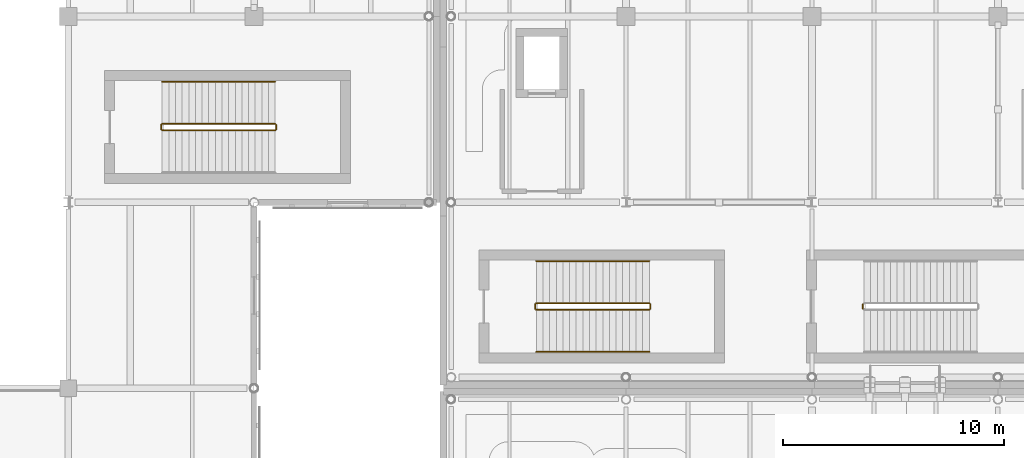
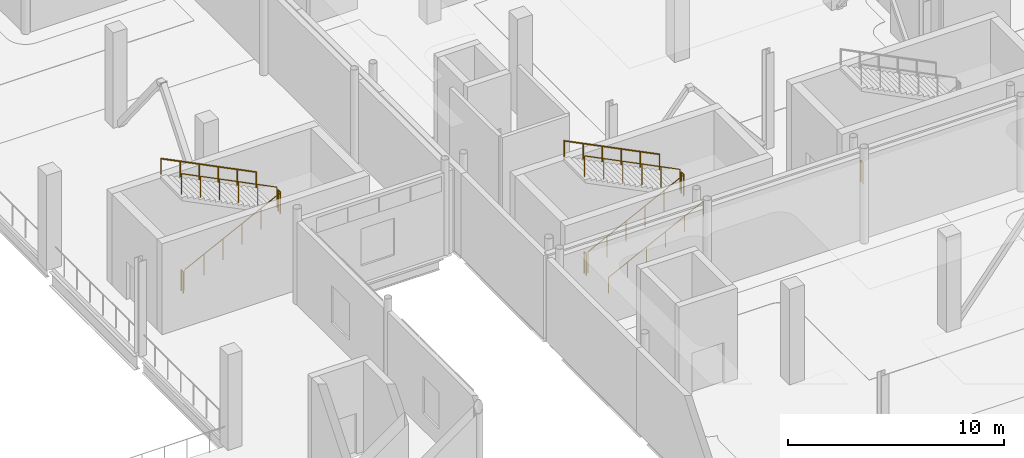
# One storey, part 94 of 110: 12 railings.
"""IFC4 building model written with IfcOpenShell, lengths in metres."""

from ifc_helpers import new_model, si_unit, direction, frame, origin, origin_2d, place, context, subcontext, project, spatial, circle, extrude, material, type_object, element, save


model = new_model("IFC4")

# Units and contexts
model_context = context("Model", 3, precision=1e-05, world=origin(), true_north=direction((0.0, 1.0)))
body_context = subcontext(model_context, "Body", "Model", "MODEL_VIEW")
ifc_project = project(units=[si_unit("LENGTHUNIT", "METRE"), si_unit("AREAUNIT", "SQUARE_METRE"), si_unit("VOLUMEUNIT", "CUBIC_METRE"), si_unit("PLANEANGLEUNIT", "RADIAN"), si_unit("MASSUNIT", "GRAM", prefix="KILO"), si_unit("THERMODYNAMICTEMPERATUREUNIT", "KELVIN")], contexts=[model_context])

# Site, building, storey
site_placement = place(None, origin())
site = spatial("IfcSite", under=ifc_project, at=site_placement, CompositionType="ELEMENT")
building_placement = place(site_placement, origin())
building = spatial("IfcBuilding", under=site, at=building_placement, Name="Lustrewick Department Store", CompositionType="ELEMENT")
storey_placement = place(building_placement, frame((0.0, 0.0, 6.0)))
storey = spatial("IfcBuildingStorey", under=building, at=storey_placement, Name="L02", CompositionType="ELEMENT", Elevation=6.0)

# Railings
ifc_material_1 = material(Name="Painted tubular steel stairwell guardrail", Category="steel")
railing_type_1 = type_object("IfcRailingType", Name="RL-STG", PredefinedType="GUARDRAIL", material=ifc_material_1)
railing_1_placement = place(storey_placement, frame((96.64990234375, 62.050048828125, 0.14990234375)))
element("IfcRailing", 1, at=railing_1_placement, inside=storey, type_object=railing_type_1, Name="L02 ST05 Stair Guard 1", PredefinedType="GUARDRAIL", context=body_context, shape_type="SweptSolid", body=[
    extrude(circle(Radius=0.02392578125, at=origin_2d()), frame((0.0, 0.0, 1.17578125), z_axis=(0.894427191, 0.0, 0.4472135955), x_axis=(0.0, 1.0, 0.0)), (0.0, 0.0, 1.0), 5.7021484375),
    extrude(circle(Radius=0.02099609375, at=origin_2d()), origin(), (0.0, 0.0, 1.0), 1.15185546875),
    extrude(circle(Radius=0.02099609375, at=origin_2d()), frame((1.02001953125, 0.0, 0.510009765625)), (0.0, 0.0, 1.0), 1.15185546875),
    extrude(circle(Radius=0.02099609375, at=origin_2d()), frame((2.0400390625, 0.0, 1.02001953125)), (0.0, 0.0, 1.0), 1.15185546875),
    extrude(circle(Radius=0.02099609375, at=origin_2d()), frame((3.06005859375, 0.0, 1.530029296875)), (0.0, 0.0, 1.0), 1.15185546875),
    extrude(circle(Radius=0.02099609375, at=origin_2d()), frame((4.080078125, 0.0, 2.0400390625)), (0.0, 0.0, 1.0), 1.15185546875),
    extrude(circle(Radius=0.02099609375, at=origin_2d()), frame((5.10009765625, 0.0, 2.550048828125)), (0.0, 0.0, 1.0), 1.15185546875),
])
railing_2_placement = place(storey_placement, frame((101.800048828125, 62.10009765625, 2.699951171875)))
element("IfcRailing", 2, at=railing_2_placement, inside=storey, type_object=railing_type_1, Name="L02 ST05 Stair Guard 2", PredefinedType="GUARDRAIL", context=body_context, shape_type="SweptSolid", body=[
    extrude(circle(Radius=0.02392578125, at=origin_2d()), frame((0.0, 0.0, 1.17578125), z_axis=(0.0, 1.0, 0.0), x_axis=(-1.0, 0.0, 0.0)), (0.0, 0.0, 1.0), 0.199951171875),
    extrude(circle(Radius=0.02099609375, at=origin_2d()), origin(), (0.0, 0.0, 1.0), 1.15185546875),
    extrude(circle(Radius=0.02099609375, at=origin_2d()), frame((0.0, 0.199951171875, 0.0)), (0.0, 0.0, 1.0), 1.15185546875),
])
railing_3_placement = place(storey_placement, frame((101.75, 62.35009765625, 2.85009765625)))
element("IfcRailing", 3, at=railing_3_placement, inside=storey, type_object=railing_type_1, Name="L02 ST05 Stair Guard 3", PredefinedType="GUARDRAIL", context=body_context, shape_type="SweptSolid", body=[
    extrude(circle(Radius=0.02392578125, at=origin_2d()), frame((0.0, 0.0, 1.17578125), z_axis=(-0.89444431709, 0.0, 0.44717934168), x_axis=(0.0, -1.0, 0.0)), (0.0, 0.0, 1.0), 5.701904296875),
    extrude(circle(Radius=0.02099609375, at=origin_2d()), origin(), (0.0, 0.0, 1.0), 1.15185546875),
    extrude(circle(Radius=0.02099609375, at=origin_2d()), frame((-1.02001953125, 0.0, 0.510009765625)), (0.0, 0.0, 1.0), 1.15185546875),
    extrude(circle(Radius=0.02099609375, at=origin_2d()), frame((-2.0400390625, 0.0, 1.02001953125)), (0.0, 0.0, 1.0), 1.15185546875),
    extrude(circle(Radius=0.02099609375, at=origin_2d()), frame((-3.06005859375, 0.0, 1.52978515625)), (0.0, 0.0, 1.0), 1.15185546875),
    extrude(circle(Radius=0.02099609375, at=origin_2d()), frame((-4.080078125, 0.0, 2.039794921875)), (0.0, 0.0, 1.0), 1.15185546875),
    extrude(circle(Radius=0.02099609375, at=origin_2d()), frame((-5.10009765625, 0.0, 2.5498046875)), (0.0, 0.0, 1.0), 1.15185546875),
])
railing_4_placement = place(storey_placement, frame((96.60009765625, 62.10009765625, 0.0)))
element("IfcRailing", 4, at=railing_4_placement, inside=storey, type_object=railing_type_1, Name="L02 ST05 Stair Guard 4", PredefinedType="GUARDRAIL", context=body_context, shape_type="SweptSolid", body=[
    extrude(circle(Radius=0.02392578125, at=origin_2d()), frame((0.0, 0.0, 1.17578125), z_axis=(0.0, 1.0, 0.0), x_axis=(-1.0, 0.0, 0.0)), (0.0, 0.0, 1.0), 0.199951171875),
    extrude(circle(Radius=0.02099609375, at=origin_2d()), origin(), (0.0, 0.0, 1.0), 1.15185546875),
    extrude(circle(Radius=0.02099609375, at=origin_2d()), frame((0.0, 0.199951171875, 0.0)), (0.0, 0.0, 1.0), 1.15185546875),
])
railing_5_placement = place(storey_placement, frame((113.550048828125, 53.949951171875, 0.14990234375)))
element("IfcRailing", 5, at=railing_5_placement, inside=storey, type_object=railing_type_1, Name="L02 ST09 Stair Guard 1", PredefinedType="GUARDRAIL", context=body_context, shape_type="SweptSolid", body=[
    extrude(circle(Radius=0.02392578125, at=origin_2d()), frame((0.0, 0.0, 1.17578125), z_axis=(0.894418627299, 0.0, 0.447230722492), x_axis=(0.0, 1.0, 0.0)), (0.0, 0.0, 1.0), 5.701904296875),
    extrude(circle(Radius=0.02099609375, at=origin_2d()), origin(), (0.0, 0.0, 1.0), 1.15185546875),
    extrude(circle(Radius=0.02099609375, at=origin_2d()), frame((1.02001953125, 0.0, 0.510009765625)), (0.0, 0.0, 1.0), 1.15185546875),
    extrude(circle(Radius=0.02099609375, at=origin_2d()), frame((2.0400390625, 0.0, 1.02001953125)), (0.0, 0.0, 1.0), 1.15185546875),
    extrude(circle(Radius=0.02099609375, at=origin_2d()), frame((3.059814453125, 0.0, 1.530029296875)), (0.0, 0.0, 1.0), 1.15185546875),
    extrude(circle(Radius=0.02099609375, at=origin_2d()), frame((4.079833984375, 0.0, 2.0400390625)), (0.0, 0.0, 1.0), 1.15185546875),
    extrude(circle(Radius=0.02099609375, at=origin_2d()), frame((5.099853515625, 0.0, 2.550048828125)), (0.0, 0.0, 1.0), 1.15185546875),
])
railing_6_placement = place(storey_placement, frame((118.699951171875, 54.0, 2.699951171875)))
element("IfcRailing", 6, at=railing_6_placement, inside=storey, type_object=railing_type_1, Name="L02 ST09 Stair Guard 2", PredefinedType="GUARDRAIL", context=body_context, shape_type="SweptSolid", body=[
    extrude(circle(Radius=0.02392578125, at=origin_2d()), frame((0.0, 0.0, 1.17578125), z_axis=(0.0, 1.0, 0.0), x_axis=(-1.0, 0.0, 0.0)), (0.0, 0.0, 1.0), 0.199951171875),
    extrude(circle(Radius=0.02099609375, at=origin_2d()), origin(), (0.0, 0.0, 1.0), 1.15185546875),
    extrude(circle(Radius=0.02099609375, at=origin_2d()), frame((0.0, 0.199951171875, 0.0)), (0.0, 0.0, 1.0), 1.15185546875),
])
railing_7_placement = place(storey_placement, frame((118.64990234375, 54.25, 2.85009765625)))
element("IfcRailing", 7, at=railing_7_placement, inside=storey, type_object=railing_type_1, Name="L02 ST09 Stair Guard 3", PredefinedType="GUARDRAIL", context=body_context, shape_type="SweptSolid", body=[
    extrude(circle(Radius=0.02392578125, at=origin_2d()), frame((0.0, 0.0, 1.17578125), z_axis=(-0.894435754537, 0.0, 0.447196468016), x_axis=(0.0, -1.0, 0.0)), (0.0, 0.0, 1.0), 5.70166015625),
    extrude(circle(Radius=0.02099609375, at=origin_2d()), origin(), (0.0, 0.0, 1.0), 1.15185546875),
    extrude(circle(Radius=0.02099609375, at=origin_2d()), frame((-1.02001953125, 0.0, 0.510009765625)), (0.0, 0.0, 1.0), 1.15185546875),
    extrude(circle(Radius=0.02099609375, at=origin_2d()), frame((-2.0400390625, 0.0, 1.02001953125)), (0.0, 0.0, 1.0), 1.15185546875),
    extrude(circle(Radius=0.02099609375, at=origin_2d()), frame((-3.059814453125, 0.0, 1.52978515625)), (0.0, 0.0, 1.0), 1.15185546875),
    extrude(circle(Radius=0.02099609375, at=origin_2d()), frame((-4.079833984375, 0.0, 2.039794921875)), (0.0, 0.0, 1.0), 1.15185546875),
    extrude(circle(Radius=0.02099609375, at=origin_2d()), frame((-5.099853515625, 0.0, 2.5498046875)), (0.0, 0.0, 1.0), 1.15185546875),
])
for number, where, name in (
    (8, (113.5, 54.0, 0.0), "L02 ST09 Stair Guard 4"),
    (9, (128.300048828125, 54.0, 0.0), "L02 ST11 Stair Guard 4"),
):
    element("IfcRailing", number, at=place(storey_placement, frame(where)), inside=storey, type_object=railing_type_1, Name=name, PredefinedType="GUARDRAIL", context=body_context, shape_type="SweptSolid", body=[
        extrude(circle(Radius=0.02392578125, at=origin_2d()), frame((0.0, 0.0, 1.17578125), z_axis=(0.0, 1.0, 0.0), x_axis=(-1.0, 0.0, 0.0)), (0.0, 0.0, 1.0), 0.199951171875),
        extrude(circle(Radius=0.02099609375, at=origin_2d()), origin(), (0.0, 0.0, 1.0), 1.15185546875),
        extrude(circle(Radius=0.02099609375, at=origin_2d()), frame((0.0, 0.199951171875, 0.0)), (0.0, 0.0, 1.0), 1.15185546875),
    ])
ifc_material_2 = material(Name="Brushed stainless steel wall handrail", Category="steel")
railing_type_2 = type_object("IfcRailingType", Name="RL-STH", PredefinedType="HANDRAIL", material=ifc_material_2)
railing_8_placement = place(storey_placement, frame((101.75, 64.25, 2.85009765625)))
element("IfcRailing", 10, at=railing_8_placement, inside=storey, type_object=railing_type_2, Name="L02 ST05 Stair Handrail 2", PredefinedType="HANDRAIL", context=body_context, shape_type="SweptSolid", body=[
    extrude(circle(Radius=0.02392578125, at=origin_2d()), frame((0.0, 0.0, 0.8759765625), z_axis=(-0.89444431709, 0.0, 0.44717934168), x_axis=(0.0, -1.0, 0.0)), (0.0, 0.0, 1.0), 5.701904296875),
    extrude(circle(Radius=0.02099609375, at=origin_2d()), origin(), (0.0, 0.0, 1.0), 0.851806640625),
    extrude(circle(Radius=0.02099609375, at=origin_2d()), frame((-1.02001953125, 0.0, 0.510009765625)), (0.0, 0.0, 1.0), 0.851806640625),
    extrude(circle(Radius=0.02099609375, at=origin_2d()), frame((-2.0400390625, 0.0, 1.02001953125)), (0.0, 0.0, 1.0), 0.851806640625),
    extrude(circle(Radius=0.02099609375, at=origin_2d()), frame((-3.06005859375, 0.0, 1.52978515625)), (0.0, 0.0, 1.0), 0.851806640625),
    extrude(circle(Radius=0.02099609375, at=origin_2d()), frame((-4.080078125, 0.0, 2.039794921875)), (0.0, 0.0, 1.0), 0.851806640625),
    extrude(circle(Radius=0.02099609375, at=origin_2d()), frame((-5.10009765625, 0.0, 2.5498046875)), (0.0, 0.0, 1.0), 0.851806640625),
])
railing_9_placement = place(storey_placement, frame((113.550048828125, 52.050048828125, 0.14990234375)))
element("IfcRailing", 11, at=railing_9_placement, inside=storey, type_object=railing_type_2, Name="L02 ST09 Stair Handrail 1", PredefinedType="HANDRAIL", context=body_context, shape_type="SweptSolid", body=[
    extrude(circle(Radius=0.02392578125, at=origin_2d()), frame((0.0, 0.0, 0.8759765625), z_axis=(0.894418627299, 0.0, 0.447230722492), x_axis=(0.0, 1.0, 0.0)), (0.0, 0.0, 1.0), 5.701904296875),
    extrude(circle(Radius=0.02099609375, at=origin_2d()), origin(), (0.0, 0.0, 1.0), 0.851806640625),
    extrude(circle(Radius=0.02099609375, at=origin_2d()), frame((1.02001953125, 0.0, 0.510009765625)), (0.0, 0.0, 1.0), 0.851806640625),
    extrude(circle(Radius=0.02099609375, at=origin_2d()), frame((2.0400390625, 0.0, 1.02001953125)), (0.0, 0.0, 1.0), 0.851806640625),
    extrude(circle(Radius=0.02099609375, at=origin_2d()), frame((3.059814453125, 0.0, 1.530029296875)), (0.0, 0.0, 1.0), 0.851806640625),
    extrude(circle(Radius=0.02099609375, at=origin_2d()), frame((4.079833984375, 0.0, 2.0400390625)), (0.0, 0.0, 1.0), 0.851806640625),
    extrude(circle(Radius=0.02099609375, at=origin_2d()), frame((5.099853515625, 0.0, 2.550048828125)), (0.0, 0.0, 1.0), 0.851806640625),
])
railing_10_placement = place(storey_placement, frame((118.64990234375, 56.14990234375, 2.85009765625)))
element("IfcRailing", 12, at=railing_10_placement, inside=storey, type_object=railing_type_2, Name="L02 ST09 Stair Handrail 2", PredefinedType="HANDRAIL", context=body_context, shape_type="SweptSolid", body=[
    extrude(circle(Radius=0.02392578125, at=origin_2d()), frame((0.0, 0.0, 0.8759765625), z_axis=(-0.894435754537, 0.0, 0.447196468016), x_axis=(0.0, -1.0, 0.0)), (0.0, 0.0, 1.0), 5.70166015625),
    extrude(circle(Radius=0.02099609375, at=origin_2d()), origin(), (0.0, 0.0, 1.0), 0.851806640625),
    extrude(circle(Radius=0.02099609375, at=origin_2d()), frame((-1.02001953125, 0.0, 0.510009765625)), (0.0, 0.0, 1.0), 0.851806640625),
    extrude(circle(Radius=0.02099609375, at=origin_2d()), frame((-2.0400390625, 0.0, 1.02001953125)), (0.0, 0.0, 1.0), 0.851806640625),
    extrude(circle(Radius=0.02099609375, at=origin_2d()), frame((-3.059814453125, 0.0, 1.52978515625)), (0.0, 0.0, 1.0), 0.851806640625),
    extrude(circle(Radius=0.02099609375, at=origin_2d()), frame((-4.079833984375, 0.0, 2.039794921875)), (0.0, 0.0, 1.0), 0.851806640625),
    extrude(circle(Radius=0.02099609375, at=origin_2d()), frame((-5.099853515625, 0.0, 2.5498046875)), (0.0, 0.0, 1.0), 0.851806640625),
])

save(model, "model.ifc")
